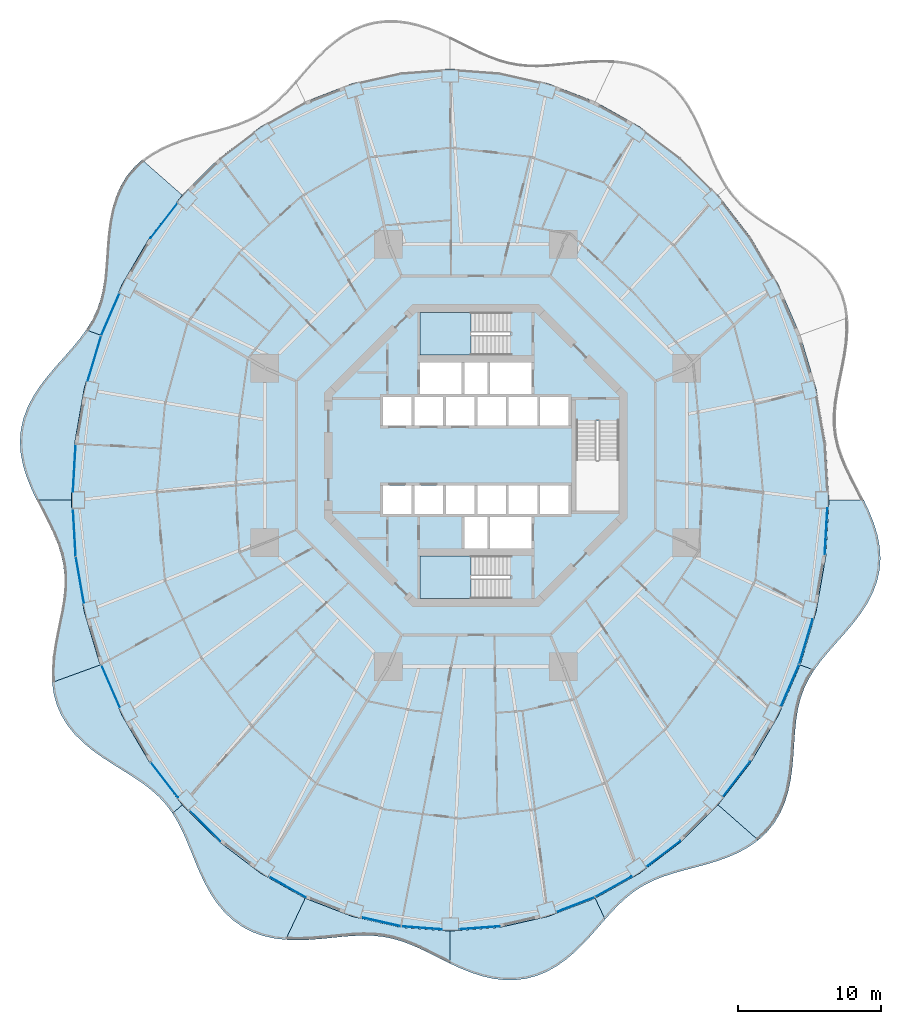
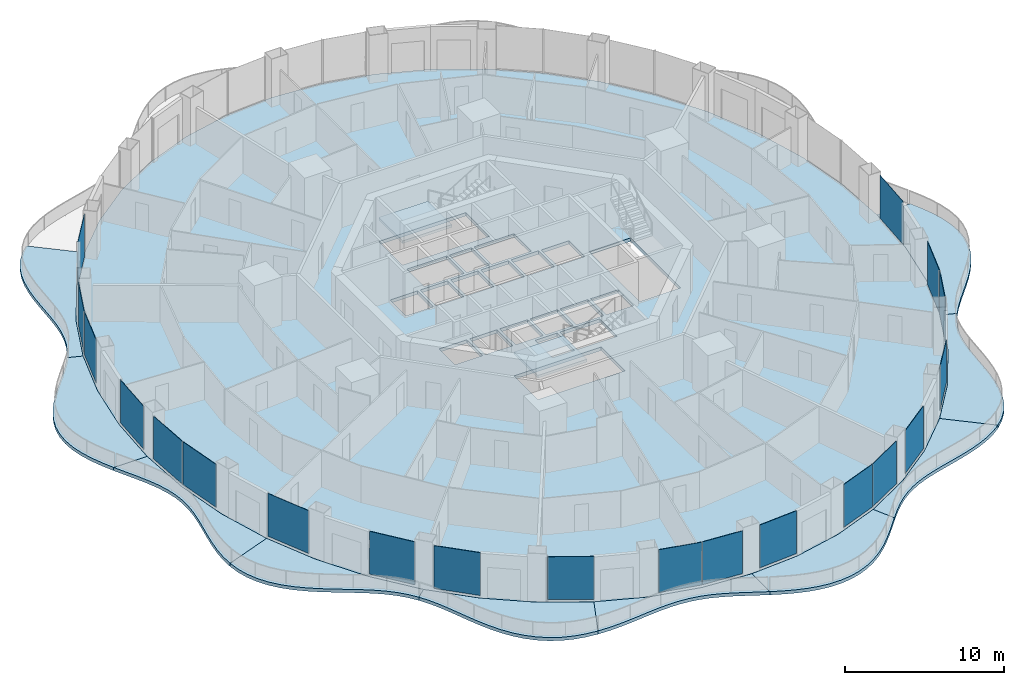
# One storey, part 10 of 20: 20 plates, 13 slabs, 22 elements without a shape of their own.
"""IFC4 building model written with IfcOpenShell, lengths in metres."""

import ifcopenshell
import ifcopenshell.guid

model = None  # the IFC model being written
_history = None  # IfcOwnerHistory: only IFC2X3 demands one
_inside = {}  # id of a spatial element -> (the spatial element, [elements in it])
_under = {}  # id of a project, library or spatial element -> (it, [spatial elements below it])
_declared = {}  # id of a project -> (the project, [libraries it declares])
_typed = {}  # id of a type object -> (the type object, [elements of that type])
_made_of = {}  # id of a material, layer set ... -> (it, [elements and type objects made of it])


def new_model(schema):
    """Start an empty IFC model of exactly this schema.

    Asked for "IFC4X3", IfcOpenShell would pick the latest addendum, in which some entities
    have other attributes; the version numbers below select the first issue.
    IFC2X3 requires an IfcOwnerHistory on every rooted entity: one is made here for all.
    """
    global model, _history
    if schema == "IFC4X3":
        model = ifcopenshell.file(schema_version=(4, 3, 0, 0))
    else:
        model = ifcopenshell.file(schema=schema)
    _inside.clear()
    _under.clear()
    _declared.clear()
    _typed.clear()
    _made_of.clear()
    _history = None
    if model.schema == "IFC2X3":
        org = make("IfcOrganization", Name="unknown")
        user = make(
            "IfcPersonAndOrganization",
            ThePerson=make("IfcPerson", FamilyName="unknown"),
            TheOrganization=org,
        )
        app = make(
            "IfcApplication",
            ApplicationDeveloper=org,
            Version="unknown",
            ApplicationFullName="unknown",
            ApplicationIdentifier="unknown",
        )
        _history = make(
            "IfcOwnerHistory",
            OwningUser=user,
            OwningApplication=app,
            ChangeAction="ADDED",
            CreationDate=0,
        )
    return model


def make(cls, **values):
    """One entity of the class cls with the attributes given. An attribute that is None is left unset."""
    return model.create_entity(
        cls, **{name: value for name, value in values.items() if value is not None}
    )


def rooted(cls, **values):
    """An entity with a GlobalId (a new one), such as an element, a storey or a relation."""
    return make(cls, GlobalId=ifcopenshell.guid.new(), OwnerHistory=_history, **values)


def si_unit(unit_type, name, prefix=None):
    """IfcSIUnit, for example si_unit("LENGTHUNIT", "METRE", prefix="MILLI")."""
    return make("IfcSIUnit", UnitType=unit_type, Prefix=prefix, Name=name)


def assignment(units):
    """IfcUnitAssignment: the units of a project."""
    return None if units is None else make("IfcUnitAssignment", Units=units)


def point(xyz):
    """IfcCartesianPoint."""
    return None if xyz is None else make("IfcCartesianPoint", Coordinates=xyz)


def direction(xyz):
    """IfcDirection."""
    return None if xyz is None else make("IfcDirection", DirectionRatios=xyz)


def frame(location, z_axis=None, x_axis=None):
    """IfcAxis2Placement3D, a coordinate frame: its origin and axes. An axis left out is left unset."""
    return make(
        "IfcAxis2Placement3D",
        Location=point(location),
        Axis=direction(z_axis),
        RefDirection=direction(x_axis),
    )


def frame_2d(location, x_axis=None):
    """IfcAxis2Placement2D, a coordinate frame in the plane: its origin and x axis."""
    return make(
        "IfcAxis2Placement2D", Location=point(location), RefDirection=direction(x_axis)
    )


def origin():
    """The frame at (0, 0, 0) with its axes left unset."""
    return frame((0.0, 0.0, 0.0))


def origin_2d():
    """The frame at (0, 0) in the plane with its x axis left unset."""
    return frame_2d((0.0, 0.0))


def place(relative_to, where):
    """IfcLocalPlacement: puts the frame where relative to a parent placement (None: the world)."""
    return make(
        "IfcLocalPlacement", PlacementRelTo=relative_to, RelativePlacement=where
    )


def context(
    kind, dimensions, precision=None, world=None, true_north=None, identifier=None
):
    """IfcGeometricRepresentationContext, for example the 3D "Model" context."""
    return make(
        "IfcGeometricRepresentationContext",
        ContextIdentifier=identifier,
        ContextType=kind,
        CoordinateSpaceDimension=dimensions,
        Precision=precision,
        WorldCoordinateSystem=world,
        TrueNorth=true_north,
    )


def subcontext(parent, identifier, kind, view, scale=None):
    """IfcGeometricRepresentationSubContext, for example "Body" below "Model"."""
    return make(
        "IfcGeometricRepresentationSubContext",
        ContextIdentifier=identifier,
        ContextType=kind,
        ParentContext=parent,
        TargetScale=scale,
        TargetView=view,
    )


def project(units=None, contexts=None):
    """IfcProject with its units and contexts."""
    return rooted(
        "IfcProject",
        Name="project",
        RepresentationContexts=contexts,
        UnitsInContext=assignment(units),
    )


def spatial(cls, under=None, at=None, **own):
    """A site, building, storey or space (cls), placed at a placement, below another one or the project."""
    s = rooted(cls, ObjectPlacement=at, **own)
    if under is not None:
        _under.setdefault(under.id(), (under, []))[1].append(s)
    return s


def polyline(points):
    """IfcPolyline through the points."""
    return make("IfcPolyline", Points=[point(p) for p in points])


def profile(cls, at=None, kind="AREA", **sizes):
    """A parametric profile (cls). Its sizes go by their IFC names, for example OverallWidth=200.0."""
    return make(cls, ProfileType=kind, Position=at, **sizes)


def rectangle(**sizes):
    """IfcRectangleProfileDef."""
    return profile("IfcRectangleProfileDef", **sizes)


def outline(outer, holes=None, kind="AREA"):
    """IfcArbitraryClosedProfileDef: a profile drawn as a closed curve; with holes, ...WithVoids."""
    if holes is None:
        return make("IfcArbitraryClosedProfileDef", ProfileType=kind, OuterCurve=outer)
    return make(
        "IfcArbitraryProfileDefWithVoids",
        ProfileType=kind,
        OuterCurve=outer,
        InnerCurves=holes,
    )


def extrude(swept, where, along, depth):
    """IfcExtrudedAreaSolid: the profile swept, set in the frame where, extruded along a direction by depth."""
    return make(
        "IfcExtrudedAreaSolid",
        SweptArea=swept,
        Position=where,
        ExtrudedDirection=direction(along),
        Depth=depth,
    )


def shape(context_of_items, identifier, shape_type, items):
    """IfcShapeRepresentation: the items that make up one representation, for example the "Body"."""
    return make(
        "IfcShapeRepresentation",
        ContextOfItems=context_of_items,
        RepresentationIdentifier=identifier,
        RepresentationType=shape_type,
        Items=items,
    )


def material(Name=None, Category=None):
    """IfcMaterial."""
    return make("IfcMaterial", Name=Name, Category=Category)


def layer(
    of_material, thickness, ventilated=None, Name=None, Category=None, Priority=None
):
    """IfcMaterialLayer: one layer of a wall or slab, of a material (None: an air gap)."""
    return make(
        "IfcMaterialLayer",
        Material=of_material,
        LayerThickness=thickness,
        IsVentilated=ventilated,
        Name=Name,
        Category=Category,
        Priority=Priority,
    )


def layer_set(layers, Name=None):
    """IfcMaterialLayerSet."""
    return make("IfcMaterialLayerSet", MaterialLayers=layers, LayerSetName=Name)


def made_of(thing, what):
    """Note that an element or type object is made of a material, layer set ...; save() writes the relation."""
    if what is not None:
        _made_of.setdefault(what.id(), (what, []))[1].append(thing)
    return thing


def type_object(cls, material=None, **own):
    """A type object (cls), such as IfcWallType, which elements share."""
    return made_of(rooted(cls, **own), material)


def element(
    cls,
    number,
    at=None,
    inside=None,
    cuts=None,
    type_object=None,
    material=None,
    context=None,
    identifier="Body",
    shape_type=None,
    held_by="IfcProductDefinitionShape",
    body=None,
    shapes=None,
    **own,
):
    """One element of the class cls, such as IfcWall. Its Tag is "e" and its number.

    at: its placement. inside: the storey or other place that contains it. cuts: it is an
    opening in that element (IfcRelVoidsElement). A single representation is given by context,
    identifier, shape_type and body (its items); several are given by shapes. held_by: the class
    of the entity that holds the representations. save() writes the other relations.
    """
    e = rooted(cls, Tag="e%d" % number, ObjectPlacement=at, **own)
    if body is not None:
        shapes = [shape(context, identifier, shape_type, body)]
    if shapes is not None:
        e.Representation = make(held_by, Representations=shapes)
    if inside is not None:
        _inside.setdefault(inside.id(), (inside, []))[1].append(e)
    if cuts is not None:
        rooted(
            "IfcRelVoidsElement", RelatingBuildingElement=cuts, RelatedOpeningElement=e
        )
    if type_object is not None:
        _typed.setdefault(type_object.id(), (type_object, []))[1].append(e)
    return made_of(e, material)


def aggregate(whole, parts):
    """IfcRelAggregates: a whole, such as a stair, and the parts it consists of."""
    return rooted("IfcRelAggregates", RelatingObject=whole, RelatedObjects=parts)


def save(model, path):
    """Write the relations noted so far, then the file.

    IfcRelAggregates (storeys below a building ...), IfcRelContainedInSpatialStructure (elements
    in a storey), IfcRelDefinesByType, IfcRelAssociatesMaterial and IfcRelDeclares: one each for
    every whole, place, type object, material and project.
    """
    for whole, parts in _under.values():
        aggregate(whole, parts)
    for where, things in _inside.values():
        rooted(
            "IfcRelContainedInSpatialStructure",
            RelatedElements=things,
            RelatingStructure=where,
        )
    for kind, things in _typed.values():
        rooted("IfcRelDefinesByType", RelatedObjects=things, RelatingType=kind)
    for what, things in _made_of.values():
        rooted("IfcRelAssociatesMaterial", RelatedObjects=things, RelatingMaterial=what)
    for by, libraries in _declared.values():
        rooted("IfcRelDeclares", RelatingContext=by, RelatedDefinitions=libraries)
    model.write(path)


model = new_model("IFC4")

# Units and contexts
model_context = context("Model", 3, precision=1e-05, world=origin(), true_north=direction((0.0, 1.0)))
body_context = subcontext(model_context, "Body", "Model", "MODEL_VIEW")
ifc_project = project(units=[si_unit("LENGTHUNIT", "METRE"), si_unit("AREAUNIT", "SQUARE_METRE"), si_unit("VOLUMEUNIT", "CUBIC_METRE"), si_unit("PLANEANGLEUNIT", "RADIAN"), si_unit("MASSUNIT", "GRAM", prefix="KILO")], contexts=[model_context])

# Site, building, storey
site_placement = place(None, origin())
site = spatial("IfcSite", under=ifc_project, at=site_placement, CompositionType="ELEMENT")
building_placement = place(site_placement, origin())
building = spatial("IfcBuilding", under=site, at=building_placement, Name="Nagisa Residences", CompositionType="ELEMENT")
storey_placement = place(building_placement, frame((0.0, 0.0, 130.699951171875)))
storey = spatial("IfcBuildingStorey", under=building, at=storey_placement, Name="L32", CompositionType="ELEMENT", Elevation=130.699951171875)

# Slabs
ifc_material_1 = material(Name="Concrete C40/50", Category="concrete")
ifc_layer_1 = layer(ifc_material_1, 0.25)
ifc_layer_set_1 = layer_set([ifc_layer_1], Name="BALCONY SLAB 250")
slab_type_1 = type_object("IfcSlabType", Name="BALCONY SLAB 250", PredefinedType="FLOOR", material=ifc_layer_set_1)
slab_1_placement = place(storey_placement, frame((0.0, 0.0, -0.25)))
element("IfcSlab", 1, at=slab_1_placement, inside=storey, type_object=slab_type_1, Name="slab:L32:bal06", PredefinedType="FLOOR", context=body_context, shape_type="SweptSolid", body=[
    extrude(outline(polyline([(-23.376953125, 20.706298828125), (-23.97314453125, 20.15283203125), (-24.483154296875, 19.525634765625), (-24.90234375, 18.830322265625), (-25.2314453125, 18.07666015625), (-25.4765625, 17.2763671875), (-25.648681640625, 16.443603515625), (-25.7626953125, 15.593017578125), (-25.83740234375, 14.739013671875), (-25.89306640625, 13.894287109375), (-25.951416015625, 13.070068359375), (-26.032958984375, 12.2744140625), (-26.156005859375, 11.512451171875), (-26.335693359375, 10.7861328125), (-26.58251953125, 10.093994140625), (-26.9013671875, 9.431640625), (-27.291748046875, 8.79296875), (-26.315185546875, 8.4375), (-24.780029296875, 11.979736328125), (-22.8515625, 15.263916015625), (-20.56298828125, 18.2333984375), (-23.376953125, 20.706298828125)])), origin(), (0.0, 0.0, 1.0), 0.25),
])
slab_2_placement = place(storey_placement, frame((0.0, 0.0, -0.25)))
element("IfcSlab", 2, at=slab_2_placement, inside=storey, type_object=slab_type_1, Name="slab:L32:bal07", PredefinedType="FLOOR", context=body_context, shape_type="SweptSolid", body=[
    extrude(outline(polyline([(-27.291748046875, 8.79296875), (-27.7626953125, 8.14990234375), (-28.28955078125, 7.51318359375), (-28.853759765625, 6.873046875), (-29.43310546875, 6.220458984375), (-30.002197265625, 5.548095703125), (-30.53564453125, 4.85009765625), (-31.00830078125, 4.1240234375), (-31.398681640625, 3.369384765625), (-31.68896484375, 2.588623046875), (-31.867431640625, 1.786376953125), (-31.928955078125, 0.968505859375), (-31.875244140625, 0.141845703125), (-31.714599609375, -0.686279296875), (-31.461669921875, -1.5087890625), (-31.13671875, -2.320556640625), (-30.763427734375, -3.11767578125), (-28.3349609375, -3.11767578125), (-28.10791015625, 0.823486328125), (-27.430908203125, 4.697265625), (-26.315185546875, 8.4375), (-27.291748046875, 8.79296875)])), origin(), (0.0, 0.0, 1.0), 0.25),
])
slab_3_placement = place(storey_placement, frame((0.0, 0.0, -0.25)))
element("IfcSlab", 3, at=slab_3_placement, inside=storey, type_object=slab_type_1, Name="slab:L32:bal08", PredefinedType="FLOOR", context=body_context, shape_type="SweptSolid", body=[
    extrude(outline(polyline([(-30.763427734375, -3.11767578125), (-30.3681640625, -3.898193359375), (-29.97705078125, -4.662841796875), (-29.614990234375, -5.413818359375), (-29.303955078125, -6.15576171875), (-29.06103515625, -6.89453125), (-28.896728515625, -7.636474609375), (-28.81591796875, -8.38818359375), (-28.81591796875, -9.1552734375), (-28.88720703125, -9.9423828125), (-29.014892578125, -10.751953125), (-29.17822265625, -11.58349609375), (-29.353515625, -12.434814453125), (-29.515625, -13.30029296875), (-29.638671875, -14.172119140625), (-29.698974609375, -15.041015625), (-29.676513671875, -15.896484375), (-26.315185546875, -14.6728515625), (-27.430908203125, -10.9326171875), (-28.10791015625, -7.058837890625), (-28.3349609375, -3.11767578125), (-30.763427734375, -3.11767578125)])), origin(), (0.0, 0.0, 1.0), 0.25),
])
slab_4_placement = place(storey_placement, frame((0.0, 0.0, -0.25)))
element("IfcSlab", 4, at=slab_4_placement, inside=storey, type_object=slab_type_1, Name="slab:L32:bal09", PredefinedType="FLOOR", context=body_context, shape_type="SweptSolid", body=[
    extrude(outline(polyline([(-29.676513671875, -15.896484375), (-29.5615234375, -16.701904296875), (-29.345458984375, -17.47509765625), (-29.025390625, -18.20751953125), (-28.604248046875, -18.8935546875), (-28.090576171875, -19.52978515625), (-27.49755859375, -20.1162109375), (-26.84228515625, -20.6552734375), (-26.14453125, -21.15380859375), (-25.426025390625, -21.62109375), (-24.70751953125, -22.068359375), (-24.008544921875, -22.5087890625), (-23.345947265625, -22.956787109375), (-22.732421875, -23.425537109375), (-22.176025390625, -23.92724609375), (-21.68017578125, -24.471923828125), (-21.2421875, -25.065673828125), (-20.56298828125, -24.46875), (-22.8515625, -21.499267578125), (-24.780029296875, -18.215087890625), (-26.315185546875, -14.6728515625), (-29.676513671875, -15.896484375)])), origin(), (0.0, 0.0, 1.0), 0.25),
])
slab_5_placement = place(storey_placement, frame((0.0, 0.0, -0.25)))
element("IfcSlab", 5, at=slab_5_placement, inside=storey, type_object=slab_type_1, Name="slab:L32:bal10", PredefinedType="FLOOR", context=body_context, shape_type="SweptSolid", body=[
    extrude(outline(polyline([(-21.2421875, -25.065673828125), (-20.87255859375, -25.679931640625), (-20.539794921875, -26.33984375), (-20.2314453125, -27.039794921875), (-19.93310546875, -27.771484375), (-19.6298828125, -28.52294921875), (-19.306884765625, -29.279052734375), (-18.9501953125, -30.02392578125), (-18.548095703125, -30.740234375), (-18.091552734375, -31.4111328125), (-17.574951171875, -32.02099609375), (-16.99609375, -32.556640625), (-16.3564453125, -33.0078125), (-15.660400390625, -33.36865234375), (-14.916015625, -33.63720703125), (-14.132568359375, -33.81640625), (-13.321533203125, -33.914306640625), (-11.95458984375, -31.01416015625), (-15.0673828125, -29.267333984375), (-17.953369140625, -27.072998046875), (-20.56298828125, -24.46875), (-21.2421875, -25.065673828125)])), origin(), (0.0, 0.0, 1.0), 0.25),
])
slab_6_placement = place(storey_placement, frame((0.0, 0.0, -0.25)))
element("IfcSlab", 6, at=slab_6_placement, inside=storey, type_object=slab_type_1, Name="slab:L32:bal11", PredefinedType="FLOOR", context=body_context, shape_type="SweptSolid", body=[
    extrude(outline(polyline([(-13.321533203125, -33.914306640625), (-12.5244140625, -33.9423828125), (-11.722900390625, -33.9189453125), (-10.92626953125, -33.8603515625), (-10.141845703125, -33.78369140625), (-9.3759765625, -33.70654296875), (-8.6318359375, -33.646240234375), (-7.910400390625, -33.61767578125), (-7.2109375, -33.6337890625), (-6.52978515625, -33.703857421875), (-5.862060546875, -33.832763671875), (-5.201904296875, -34.021240234375), (-4.542724609375, -34.265380859375), (-3.8779296875, -34.5576171875), (-3.201904296875, -34.88525390625), (-2.51025390625, -35.233154296875), (-1.800048828125, -35.584228515625), (-1.800048828125, -33.312744140625), (-5.263427734375, -33.054443359375), (-8.667724609375, -32.283935546875), (-11.95458984375, -31.01416015625), (-13.321533203125, -33.914306640625)])), origin(), (0.0, 0.0, 1.0), 0.25),
])
slab_7_placement = place(storey_placement, frame((0.0, 0.0, -0.25)))
element("IfcSlab", 7, at=slab_7_placement, inside=storey, type_object=slab_type_1, Name="slab:L32:bal12", PredefinedType="FLOOR", context=body_context, shape_type="SweptSolid", body=[
    extrude(outline(polyline([(-1.800048828125, -35.584228515625), (-1.070556640625, -35.9189453125), (-0.322998046875, -36.21875), (0.439208984375, -36.46484375), (1.2109375, -36.641357421875), (1.9853515625, -36.735107421875), (2.75537109375, -36.736083984375), (3.5126953125, -36.63916015625), (4.250244140625, -36.443359375), (4.96142578125, -36.15234375), (5.640869140625, -35.77392578125), (6.285888671875, -35.31982421875), (6.895751953125, -34.804931640625), (7.4716796875, -34.24609375), (8.01806640625, -33.66162109375), (8.540771484375, -33.069091796875), (9.04833984375, -32.486328125), (8.3544921875, -31.01416015625), (5.06787109375, -32.283935546875), (1.66357421875, -33.054443359375), (-1.800048828125, -33.312744140625), (-1.800048828125, -35.584228515625)])), origin(), (0.0, 0.0, 1.0), 0.25),
])
slab_8_placement = place(storey_placement, frame((0.0, 0.0, -0.25)))
element("IfcSlab", 8, at=slab_8_placement, inside=storey, type_object=slab_type_1, Name="slab:L32:bal13", PredefinedType="FLOOR", context=body_context, shape_type="SweptSolid", body=[
    extrude(outline(polyline([(9.04833984375, -32.486328125), (9.568603515625, -31.908203125), (10.093017578125, -31.370849609375), (10.632568359375, -30.884765625), (11.197265625, -30.455322265625), (11.794677734375, -30.083984375), (12.429931640625, -29.767333984375), (13.10546875, -29.497802734375), (13.81982421875, -29.26416015625), (14.568115234375, -29.052978515625), (15.342041015625, -28.8486328125), (16.130126953125, -28.635009765625), (16.9189453125, -28.396484375), (17.693359375, -28.118408203125), (18.437744140625, -27.7890625), (19.13671875, -27.398681640625), (19.777099609375, -26.941650390625), (16.963134765625, -24.46875), (14.353515625, -27.072998046875), (11.467529296875, -29.267333984375), (8.3544921875, -31.01416015625), (9.04833984375, -32.486328125)])), origin(), (0.0, 0.0, 1.0), 0.25),
])
slab_9_placement = place(storey_placement, frame((0.0, 0.0, -0.25)))
element("IfcSlab", 9, at=slab_9_placement, inside=storey, type_object=slab_type_1, Name="slab:L32:bal14", PredefinedType="FLOOR", context=body_context, shape_type="SweptSolid", body=[
    extrude(outline(polyline([(19.777099609375, -26.941650390625), (20.373291015625, -26.38818359375), (20.883056640625, -25.760986328125), (21.30224609375, -25.06591796875), (21.63134765625, -24.31201171875), (21.876708984375, -23.51171875), (22.048583984375, -22.67919921875), (22.16259765625, -21.828369140625), (22.2373046875, -20.974365234375), (22.293212890625, -20.129638671875), (22.351318359375, -19.305419921875), (22.432861328125, -18.509765625), (22.55615234375, -17.747802734375), (22.73583984375, -17.021484375), (22.982421875, -16.329345703125), (23.301513671875, -15.6669921875), (23.691650390625, -15.0283203125), (22.715087890625, -14.6728515625), (21.179931640625, -18.215087890625), (19.251708984375, -21.499267578125), (16.963134765625, -24.46875), (19.777099609375, -26.941650390625)])), origin(), (0.0, 0.0, 1.0), 0.25),
])
slab_10_placement = place(storey_placement, frame((0.0, 0.0, -0.25)))
element("IfcSlab", 10, at=slab_10_placement, inside=storey, type_object=slab_type_1, Name="slab:L32:bal15", PredefinedType="FLOOR", context=body_context, shape_type="SweptSolid", body=[
    extrude(outline(polyline([(23.691650390625, -15.0283203125), (24.16259765625, -14.38525390625), (24.689453125, -13.74853515625), (25.253662109375, -13.1083984375), (25.8330078125, -12.4560546875), (26.40234375, -11.783447265625), (26.935546875, -11.08544921875), (27.408203125, -10.359375), (27.798583984375, -9.604736328125), (28.0888671875, -8.82421875), (28.267578125, -8.021728515625), (28.3291015625, -7.203857421875), (28.275146484375, -6.377197265625), (28.114501953125, -5.54931640625), (27.861572265625, -4.7265625), (27.53662109375, -3.914794921875), (27.16357421875, -3.11767578125), (24.735107421875, -3.11767578125), (24.508056640625, -7.058837890625), (23.830810546875, -10.9326171875), (22.715087890625, -14.6728515625), (23.691650390625, -15.0283203125)])), origin(), (0.0, 0.0, 1.0), 0.25),
])

# Curtain wall, plate
ifc_material_2 = material(Name="Concrete-coloured aluminium curtain wall system", Category="concrete")
ifc_layer_2 = layer(ifc_material_2, 0.159912109375)
ifc_layer_set_2 = layer_set([ifc_layer_2], Name="CW1 CURTAIN WALL")
curtain_wall_type = type_object("IfcCurtainWallType", Name="CW1 CURTAIN WALL", PredefinedType="NOTDEFINED", material=ifc_layer_set_2)
curtain_wall_1_placement = place(storey_placement, origin())
curtain_wall_1 = element("IfcCurtainWall", 11, at=curtain_wall_1_placement, inside=storey, type_object=curtain_wall_type, Name="cw:CW1:L32:18", PredefinedType="NOTDEFINED")
ifc_material_3 = material(Name="Clear laminated glass", Category="glass")
ifc_layer_3 = layer(ifc_material_3, 0.028076171875)
ifc_layer_set_3 = layer_set([ifc_layer_3], Name="CW1 GLASS PANEL")
plate_type = type_object("IfcPlateType", Name="CW1 GLASS PANEL", PredefinedType="CURTAIN_PANEL", material=ifc_layer_set_3)
plate_1_placement = place(storey_placement, frame((-21.845458984375, 16.4384765625, 0.150146484375), z_axis=(0.0, 0.0, 1.0), x_axis=(-0.610429828235, -0.792070340816, 0.0)))
plate_1 = element("IfcPlate", 12, at=plate_1_placement, type_object=plate_type, Name="CW1 panel", PredefinedType="CURTAIN_PANEL", context=body_context, shape_type="SweptSolid", body=[
    extrude(rectangle(XDim=3.089111328125, YDim=0.028076171875, at=origin_2d()), origin(), (0.0, 0.0, 1.0), 3.2900390625),
])
aggregate(curtain_wall_1, [plate_1])

curtain_wall_2_placement = place(storey_placement, origin())
curtain_wall_2 = element("IfcCurtainWall", 13, at=curtain_wall_2_placement, inside=storey, type_object=curtain_wall_type, Name="cw:CW1:L32:20", PredefinedType="NOTDEFINED")
plate_2_placement = place(storey_placement, frame((-25.60546875, 9.8740234375, 0.150146484375), z_axis=(0.0, 0.0, 1.0), x_axis=(-0.397635934147, -0.917543276295, 0.0)))
plate_2 = element("IfcPlate", 14, at=plate_2_placement, type_object=plate_type, Name="CW1 panel", PredefinedType="CURTAIN_PANEL", context=body_context, shape_type="SweptSolid", body=[
    extrude(rectangle(XDim=3.20068359375, YDim=0.028076171875, at=origin_2d()), origin(), (0.0, 0.0, 1.0), 3.2900390625),
])
aggregate(curtain_wall_2, [plate_2])

curtain_wall_3_placement = place(storey_placement, origin())
curtain_wall_3 = element("IfcCurtainWall", 15, at=curtain_wall_3_placement, inside=storey, type_object=curtain_wall_type, Name="cw:CW1:L32:21", PredefinedType="NOTDEFINED")
plate_3_placement = place(storey_placement, frame((-26.71923828125, 6.80322265625, 0.150146484375), z_axis=(0.0, 0.0, 1.0), x_axis=(-0.285860274038, -0.958271310082, 0.0)))
plate_3 = element("IfcPlate", 16, at=plate_3_placement, type_object=plate_type, Name="CW1 panel", PredefinedType="CURTAIN_PANEL", context=body_context, shape_type="SweptSolid", body=[
    extrude(rectangle(XDim=3.242919921875, YDim=0.028076171875, at=origin_2d()), origin(), (0.0, 0.0, 1.0), 3.2900390625),
])
aggregate(curtain_wall_3, [plate_3])

curtain_wall_4_placement = place(storey_placement, origin())
curtain_wall_4 = element("IfcCurtainWall", 17, at=curtain_wall_4_placement, inside=storey, type_object=curtain_wall_type, Name="cw:CW1:L32:23", PredefinedType="NOTDEFINED")
plate_4_placement = place(storey_placement, frame((-28.126220703125, -0.882080078125, 0.150146484375), z_axis=(0.0, 0.0, 1.0), x_axis=(-0.057503492216, -0.998345305184, 0.0)))
plate_4 = element("IfcPlate", 18, at=plate_4_placement, type_object=plate_type, Name="CW1 panel", PredefinedType="CURTAIN_PANEL", context=body_context, shape_type="SweptSolid", body=[
    extrude(rectangle(XDim=3.287841796875, YDim=0.028076171875, at=origin_2d()), origin(), (0.0, 0.0, 1.0), 3.2900390625),
])
aggregate(curtain_wall_4, [plate_4])

curtain_wall_5_placement = place(storey_placement, origin())
curtain_wall_5 = element("IfcCurtainWall", 19, at=curtain_wall_5_placement, inside=storey, type_object=curtain_wall_type, Name="cw:CW1:L32:24", PredefinedType="NOTDEFINED")
plate_5_placement = place(storey_placement, frame((-28.12255859375, -5.4130859375, 0.150146484375), z_axis=(0.0, 0.0, 1.0), x_axis=(0.057503492216, -0.998345305184, 0.0)))
plate_5 = element("IfcPlate", 20, at=plate_5_placement, type_object=plate_type, Name="CW1 panel", PredefinedType="CURTAIN_PANEL", context=body_context, shape_type="SweptSolid", body=[
    extrude(rectangle(XDim=3.287841796875, YDim=0.028076171875, at=origin_2d()), origin(), (0.0, 0.0, 1.0), 3.2900390625),
])
aggregate(curtain_wall_5, [plate_5])

curtain_wall_6_placement = place(storey_placement, origin())
curtain_wall_6 = element("IfcCurtainWall", 21, at=curtain_wall_6_placement, inside=storey, type_object=curtain_wall_type, Name="cw:CW1:L32:25", PredefinedType="NOTDEFINED")
plate_6_placement = place(storey_placement, frame((-27.737060546875, -8.716064453125, 0.150146484375), z_axis=(0.0, 0.0, 1.0), x_axis=(0.172190868898, -0.985063604377, 0.0)))
plate_6 = element("IfcPlate", 22, at=plate_6_placement, type_object=plate_type, Name="CW1 panel", PredefinedType="CURTAIN_PANEL", context=body_context, shape_type="SweptSolid", body=[
    extrude(rectangle(XDim=3.2724609375, YDim=0.028076171875, at=origin_2d()), origin(), (0.0, 0.0, 1.0), 3.2900390625),
])
aggregate(curtain_wall_6, [plate_6])

curtain_wall_7_placement = place(storey_placement, origin())
curtain_wall_7 = element("IfcCurtainWall", 23, at=curtain_wall_7_placement, inside=storey, type_object=curtain_wall_type, Name="cw:CW1:L32:27", PredefinedType="NOTDEFINED")
plate_7_placement = place(storey_placement, frame((-25.58154296875, -16.16455078125, 0.150146484375), z_axis=(0.0, 0.0, 1.0), x_axis=(0.397635934147, -0.917543276295, 0.0)))
plate_7 = element("IfcPlate", 24, at=plate_7_placement, type_object=plate_type, Name="CW1 panel", PredefinedType="CURTAIN_PANEL", context=body_context, shape_type="SweptSolid", body=[
    extrude(rectangle(XDim=3.20068359375, YDim=0.028076171875, at=origin_2d()), origin(), (0.0, 0.0, 1.0), 3.2900390625),
])
aggregate(curtain_wall_7, [plate_7])

curtain_wall_8_placement = place(storey_placement, origin())
curtain_wall_8 = element("IfcCurtainWall", 25, at=curtain_wall_8_placement, inside=storey, type_object=curtain_wall_type, Name="cw:CW1:L32:29", PredefinedType="NOTDEFINED")
plate_8_placement = place(storey_placement, frame((-21.808837890625, -22.721435546875, 0.150146484375), z_axis=(0.0, 0.0, 1.0), x_axis=(0.610429828235, -0.792070340816, 0.0)))
plate_8 = element("IfcPlate", 26, at=plate_8_placement, type_object=plate_type, Name="CW1 panel", PredefinedType="CURTAIN_PANEL", context=body_context, shape_type="SweptSolid", body=[
    extrude(rectangle(XDim=3.089111328125, YDim=0.028076171875, at=origin_2d()), origin(), (0.0, 0.0, 1.0), 3.2900390625),
])
aggregate(curtain_wall_8, [plate_8])

curtain_wall_9_placement = place(storey_placement, origin())
curtain_wall_9 = element("IfcCurtainWall", 27, at=curtain_wall_9_placement, inside=storey, type_object=curtain_wall_type, Name="cw:CW1:L32:30", PredefinedType="NOTDEFINED")
plate_9_placement = place(storey_placement, frame((-18.96826171875, -25.947265625, 0.150146484375), z_axis=(0.0, 0.0, 1.0), x_axis=(0.707835924016, -0.706376885714, 0.0)))
plate_9 = element("IfcPlate", 28, at=plate_9_placement, type_object=plate_type, Name="CW1 panel", PredefinedType="CURTAIN_PANEL", context=body_context, shape_type="SweptSolid", body=[
    extrude(rectangle(XDim=3.026611328125, YDim=0.028076171875, at=origin_2d()), origin(), (0.0, 0.0, 1.0), 3.2900390625),
])
aggregate(curtain_wall_9, [plate_9])

curtain_wall_10_placement = place(storey_placement, origin())
curtain_wall_10 = element("IfcCurtainWall", 29, at=curtain_wall_10_placement, inside=storey, type_object=curtain_wall_type, Name="cw:CW1:L32:32", PredefinedType="NOTDEFINED")
plate_10_placement = place(storey_placement, frame((-13.18408203125, -30.232421875, 0.150146484375), z_axis=(0.0, 0.0, 1.0), x_axis=(0.872072377523, -0.489376918501, 0.0)))
plate_10 = element("IfcPlate", 30, at=plate_10_placement, type_object=plate_type, Name="CW1 panel", PredefinedType="CURTAIN_PANEL", context=body_context, shape_type="SweptSolid", body=[
    extrude(rectangle(XDim=2.90966796875, YDim=0.028076171875, at=origin_2d()), origin(), (0.0, 0.0, 1.0), 3.2900390625),
])
aggregate(curtain_wall_10, [plate_10])

curtain_wall_11_placement = place(storey_placement, origin())
curtain_wall_11 = element("IfcCurtainWall", 31, at=curtain_wall_11_placement, inside=storey, type_object=curtain_wall_type, Name="cw:CW1:L32:34", PredefinedType="NOTDEFINED")
plate_11_placement = place(storey_placement, frame((-6.626220703125, -32.663818359375, 0.150146484375), z_axis=(0.0, 0.0, 1.0), x_axis=(0.975327274089, -0.2207639201, 0.0)))
plate_11 = element("IfcPlate", 32, at=plate_11_placement, type_object=plate_type, Name="CW1 panel", PredefinedType="CURTAIN_PANEL", context=body_context, shape_type="SweptSolid", body=[
    extrude(rectangle(XDim=2.830322265625, YDim=0.028076171875, at=origin_2d()), origin(), (0.0, 0.0, 1.0), 3.2900390625),
])
aggregate(curtain_wall_11, [plate_11])

curtain_wall_12_placement = place(storey_placement, origin())
curtain_wall_12 = element("IfcCurtainWall", 33, at=curtain_wall_12_placement, inside=storey, type_object=curtain_wall_type, Name="cw:CW1:L32:35", PredefinedType="NOTDEFINED")
plate_12_placement = place(storey_placement, frame((-3.795166015625, -33.083740234375, 0.150146484375), z_axis=(0.0, 0.0, 1.0), x_axis=(0.997230168512, -0.074377355493, 0.0)))
plate_12 = element("IfcPlate", 34, at=plate_12_placement, type_object=plate_type, Name="CW1 panel", PredefinedType="CURTAIN_PANEL", context=body_context, shape_type="SweptSolid", body=[
    extrude(rectangle(XDim=2.813232421875, YDim=0.028076171875, at=origin_2d()), origin(), (0.0, 0.0, 1.0), 3.2900390625),
])
aggregate(curtain_wall_12, [plate_12])

curtain_wall_13_placement = place(storey_placement, origin())
curtain_wall_13 = element("IfcCurtainWall", 35, at=curtain_wall_13_placement, inside=storey, type_object=curtain_wall_type, Name="cw:CW1:L32:36", PredefinedType="NOTDEFINED")
plate_13_placement = place(storey_placement, frame((0.2548828125, -33.0791015625, 0.150146484375), z_axis=(0.0, 0.0, 1.0), x_axis=(0.997230168512, 0.074377355493, 0.0)))
plate_13 = element("IfcPlate", 36, at=plate_13_placement, type_object=plate_type, Name="CW1 panel", PredefinedType="CURTAIN_PANEL", context=body_context, shape_type="SweptSolid", body=[
    extrude(rectangle(XDim=2.813232421875, YDim=0.028076171875, at=origin_2d()), origin(), (0.0, 0.0, 1.0), 3.2900390625),
])
aggregate(curtain_wall_13, [plate_13])

curtain_wall_14_placement = place(storey_placement, origin())
curtain_wall_14 = element("IfcCurtainWall", 37, at=curtain_wall_14_placement, inside=storey, type_object=curtain_wall_type, Name="cw:CW1:L32:38", PredefinedType="NOTDEFINED")
plate_14_placement = place(storey_placement, frame((6.990234375, -31.45556640625, 0.150146484375), z_axis=(0.0, 0.0, 1.0), x_axis=(0.932825759707, 0.360327770268, 0.0)))
plate_14 = element("IfcPlate", 38, at=plate_14_placement, type_object=plate_type, Name="CW1 panel", PredefinedType="CURTAIN_PANEL", context=body_context, shape_type="SweptSolid", body=[
    extrude(rectangle(XDim=2.863525390625, YDim=0.028076171875, at=origin_2d()), origin(), (0.0, 0.0, 1.0), 3.2900390625),
])
aggregate(curtain_wall_14, [plate_14])

curtain_wall_15_placement = place(storey_placement, origin())
curtain_wall_15 = element("IfcCurtainWall", 39, at=curtain_wall_15_placement, inside=storey, type_object=curtain_wall_type, Name="cw:CW1:L32:39", PredefinedType="NOTDEFINED")
plate_15_placement = place(storey_placement, frame((9.636474609375, -30.203125, 0.150146484375), z_axis=(0.0, 0.0, 1.0), x_axis=(0.872072377523, 0.489376918501, 0.0)))
plate_15 = element("IfcPlate", 40, at=plate_15_placement, type_object=plate_type, Name="CW1 panel", PredefinedType="CURTAIN_PANEL", context=body_context, shape_type="SweptSolid", body=[
    extrude(rectangle(XDim=2.90966796875, YDim=0.028076171875, at=origin_2d()), origin(), (0.0, 0.0, 1.0), 3.2900390625),
])
aggregate(curtain_wall_15, [plate_15])

curtain_wall_16_placement = place(storey_placement, origin())
curtain_wall_16 = element("IfcCurtainWall", 41, at=curtain_wall_16_placement, inside=storey, type_object=curtain_wall_type, Name="cw:CW1:L32:40", PredefinedType="NOTDEFINED")
plate_16_placement = place(storey_placement, frame((13.124755859375, -27.90673828125, 0.150146484375), z_axis=(0.0, 0.0, 1.0), x_axis=(0.79603132756, 0.605255421737, 0.0)))
plate_16 = element("IfcPlate", 42, at=plate_16_placement, type_object=plate_type, Name="CW1 panel", PredefinedType="CURTAIN_PANEL", context=body_context, shape_type="SweptSolid", body=[
    extrude(rectangle(XDim=2.965576171875, YDim=0.028076171875, at=origin_2d()), origin(), (0.0, 0.0, 1.0), 3.2900390625),
])
aggregate(curtain_wall_16, [plate_16])

curtain_wall_17_placement = place(storey_placement, origin())
curtain_wall_17 = element("IfcCurtainWall", 43, at=curtain_wall_17_placement, inside=storey, type_object=curtain_wall_type, Name="cw:CW1:L32:42", PredefinedType="NOTDEFINED")
plate_17_placement = place(storey_placement, frame((18.245361328125, -22.673828125, 0.150146484375), z_axis=(0.0, 0.0, 1.0), x_axis=(0.610429828235, 0.792070340816, 0.0)))
plate_17 = element("IfcPlate", 44, at=plate_17_placement, type_object=plate_type, Name="CW1 panel", PredefinedType="CURTAIN_PANEL", context=body_context, shape_type="SweptSolid", body=[
    extrude(rectangle(XDim=3.089111328125, YDim=0.028076171875, at=origin_2d()), origin(), (0.0, 0.0, 1.0), 3.2900390625),
])
aggregate(curtain_wall_17, [plate_17])

curtain_wall_18_placement = place(storey_placement, origin())
curtain_wall_18 = element("IfcCurtainWall", 45, at=curtain_wall_18_placement, inside=storey, type_object=curtain_wall_type, Name="cw:CW1:L32:44", PredefinedType="NOTDEFINED")
plate_18_placement = place(storey_placement, frame((22.00537109375, -16.109375, 0.150146484375), z_axis=(0.0, 0.0, 1.0), x_axis=(0.397635934147, 0.917543276295, 0.0)))
plate_18 = element("IfcPlate", 46, at=plate_18_placement, type_object=plate_type, Name="CW1 panel", PredefinedType="CURTAIN_PANEL", context=body_context, shape_type="SweptSolid", body=[
    extrude(rectangle(XDim=3.20068359375, YDim=0.028076171875, at=origin_2d()), origin(), (0.0, 0.0, 1.0), 3.2900390625),
])
aggregate(curtain_wall_18, [plate_18])

curtain_wall_19_placement = place(storey_placement, origin())
curtain_wall_19 = element("IfcCurtainWall", 47, at=curtain_wall_19_placement, inside=storey, type_object=curtain_wall_type, Name="cw:CW1:L32:45", PredefinedType="NOTDEFINED")
plate_19_placement = place(storey_placement, frame((23.119140625, -13.03857421875, 0.150146484375), z_axis=(0.0, 0.0, 1.0), x_axis=(0.285860274038, 0.958271310082, 0.0)))
plate_19 = element("IfcPlate", 48, at=plate_19_placement, type_object=plate_type, Name="CW1 panel", PredefinedType="CURTAIN_PANEL", context=body_context, shape_type="SweptSolid", body=[
    extrude(rectangle(XDim=3.242919921875, YDim=0.028076171875, at=origin_2d()), origin(), (0.0, 0.0, 1.0), 3.2900390625),
])
aggregate(curtain_wall_19, [plate_19])

curtain_wall_20_placement = place(storey_placement, origin())
curtain_wall_20 = element("IfcCurtainWall", 49, at=curtain_wall_20_placement, inside=storey, type_object=curtain_wall_type, Name="cw:CW1:L32:47", PredefinedType="NOTDEFINED")
plate_20_placement = place(storey_placement, frame((24.526123046875, -5.353271484375, 0.150146484375), z_axis=(0.0, 0.0, 1.0), x_axis=(0.057503492216, 0.998345305184, 0.0)))
plate_20 = element("IfcPlate", 50, at=plate_20_placement, type_object=plate_type, Name="CW1 panel", PredefinedType="CURTAIN_PANEL", context=body_context, shape_type="SweptSolid", body=[
    extrude(rectangle(XDim=3.287841796875, YDim=0.028076171875, at=origin_2d()), origin(), (0.0, 0.0, 1.0), 3.2900390625),
])
aggregate(curtain_wall_20, [plate_20])

# Slab
ifc_material_4 = material(Name="Concrete C40", Category="concrete")
ifc_layer_4 = layer(ifc_material_4, 0.260009765625)
ifc_layer_set_4 = layer_set([ifc_layer_4], Name="Floor slab 260")
slab_type_2 = type_object("IfcSlabType", Name="Floor slab 260", PredefinedType="FLOOR", material=ifc_layer_set_4)
slab_11_placement = place(storey_placement, frame((0.0, 0.0, -0.260009765625)))
element("IfcSlab", 51, at=slab_11_placement, inside=storey, type_object=slab_type_2, Name="slab:L32:floor", PredefinedType="FLOOR", context=body_context, shape_type="SweptSolid", body=[
    extrude(outline(polyline([(24.735107421875, -3.11767578125), (24.508056640625, 0.823486328125), (23.830810546875, 4.697265625), (22.715087890625, 8.4375), (21.179931640625, 11.979736328125), (19.251708984375, 15.263916015625), (16.963134765625, 18.2333984375), (14.353515625, 20.837646484375), (11.467529296875, 23.031982421875), (8.3544921875, 24.77880859375), (5.06787109375, 26.04833984375), (1.66357421875, 26.819091796875), (-1.800048828125, 27.077392578125), (-5.263427734375, 26.819091796875), (-8.667724609375, 26.04833984375), (-11.95458984375, 24.77880859375), (-15.0673828125, 23.031982421875), (-17.953369140625, 20.837646484375), (-20.56298828125, 18.2333984375), (-22.8515625, 15.263916015625), (-24.780029296875, 11.979736328125), (-26.315185546875, 8.4375), (-27.430908203125, 4.697265625), (-28.10791015625, 0.823486328125), (-28.3349609375, -3.11767578125), (-28.10791015625, -7.058837890625), (-27.430908203125, -10.9326171875), (-26.315185546875, -14.6728515625), (-24.780029296875, -18.215087890625), (-22.8515625, -21.499267578125), (-20.56298828125, -24.46875), (-17.953369140625, -27.072998046875), (-15.0673828125, -29.267333984375), (-11.95458984375, -31.01416015625), (-8.667724609375, -32.283935546875), (-5.263427734375, -33.054443359375), (-1.800048828125, -33.312744140625), (1.66357421875, -33.054443359375), (5.06787109375, -32.283935546875), (8.3544921875, -31.01416015625), (11.467529296875, -29.267333984375), (14.353515625, -27.072998046875), (16.963134765625, -24.46875), (19.251708984375, -21.499267578125), (21.179931640625, -18.215087890625), (22.715087890625, -14.6728515625), (23.830810546875, -10.9326171875), (24.508056640625, -7.058837890625), (24.735107421875, -3.11767578125)]), holes=[polyline([(-4.5, 2.10009765625), (-4.5, 4.10009765625), (-6.5, 4.10009765625), (-6.5, 2.10009765625), (-4.5, 2.10009765625)]), polyline([(-2.300048828125, 2.10009765625), (-2.300048828125, 4.10009765625), (-4.300048828125, 4.10009765625), (-4.300048828125, 2.10009765625), (-2.300048828125, 2.10009765625)]), polyline([(-0.10009765625, 2.10009765625), (-0.10009765625, 4.10009765625), (-2.10009765625, 4.10009765625), (-2.10009765625, 2.10009765625), (-0.10009765625, 2.10009765625)]), polyline([(2.10009765625, 2.10009765625), (2.10009765625, 4.10009765625), (0.10009765625, 4.10009765625), (0.10009765625, 2.10009765625), (2.10009765625, 2.10009765625)]), polyline([(4.300048828125, 2.10009765625), (4.300048828125, 4.10009765625), (2.300048828125, 4.10009765625), (2.300048828125, 2.10009765625), (4.300048828125, 2.10009765625)]), polyline([(6.5, 2.10009765625), (6.5, 4.10009765625), (4.5, 4.10009765625), (4.5, 2.10009765625), (6.5, 2.10009765625)]), polyline([(-4.5, -4.10009765625), (-4.5, -2.10009765625), (-6.5, -2.10009765625), (-6.5, -4.10009765625), (-4.5, -4.10009765625)]), polyline([(-2.300048828125, -4.10009765625), (-2.300048828125, -2.10009765625), (-4.300048828125, -2.10009765625), (-4.300048828125, -4.10009765625), (-2.300048828125, -4.10009765625)]), polyline([(-0.10009765625, -4.10009765625), (-0.10009765625, -2.10009765625), (-2.10009765625, -2.10009765625), (-2.10009765625, -4.10009765625), (-0.10009765625, -4.10009765625)]), polyline([(2.10009765625, -4.10009765625), (2.10009765625, -2.10009765625), (0.10009765625, -2.10009765625), (0.10009765625, -4.10009765625), (2.10009765625, -4.10009765625)]), polyline([(4.300048828125, -4.10009765625), (4.300048828125, -2.10009765625), (2.300048828125, -2.10009765625), (2.300048828125, -4.10009765625), (4.300048828125, -4.10009765625)]), polyline([(6.5, -4.10009765625), (6.5, -2.10009765625), (4.5, -2.10009765625), (4.5, -4.10009765625), (6.5, -4.10009765625)]), polyline([(3.89990234375, 4.300048828125), (3.89990234375, 6.5), (1.0, 6.5), (1.0, 4.300048828125), (3.89990234375, 4.300048828125)]), polyline([(3.89990234375, -6.5), (3.89990234375, -4.300048828125), (1.0, -4.300048828125), (1.0, -6.5), (3.89990234375, -6.5)]), polyline([(-1.0, 4.300048828125), (-1.0, 6.5), (-3.89990234375, 6.5), (-3.89990234375, 4.300048828125), (-1.0, 4.300048828125)]), polyline([(0.800048828125, 4.300048828125), (0.800048828125, 6.5), (-0.800048828125, 6.5), (-0.800048828125, 4.300048828125), (0.800048828125, 4.300048828125)]), polyline([(0.800048828125, -6.5), (0.800048828125, -4.300048828125), (-0.800048828125, -4.300048828125), (-0.800048828125, -6.5), (0.800048828125, -6.5)]), polyline([(10.024658203125, -3.89990234375), (7.024658203125, -3.89990234375), (7.024658203125, 2.425048828125), (10.024658203125, 2.425048828125), (10.024658203125, -3.89990234375)]), polyline([(-3.89990234375, 7.024658203125), (-3.89990234375, 10.024658203125), (2.425048828125, 10.024658203125), (2.425048828125, 7.024658203125), (-3.89990234375, 7.024658203125)]), polyline([(-3.89990234375, -10.024658203125), (-3.89990234375, -7.024658203125), (2.425048828125, -7.024658203125), (2.425048828125, -10.024658203125), (-3.89990234375, -10.024658203125)])]), origin(), (0.0, 0.0, 1.0), 0.260009765625),
])

# Stair, slab
ifc_material_5 = material(Name="Concrete C60", Category="concrete")
stair_type = type_object("IfcStairType", Name="Exit stair", PredefinedType="HALF_TURN_STAIR", material=ifc_material_5)
stair_1_placement = place(storey_placement, origin())
stair_1 = element("IfcStair", 52, at=stair_1_placement, inside=storey, type_object=stair_type, Name="L32 Exit stair N", PredefinedType="HALF_TURN_STAIR")
ifc_material_6 = material(Name="Concrete C60", Category="concrete")
ifc_layer_5 = layer(ifc_material_6, 0.199951171875)
ifc_layer_set_5 = layer_set([ifc_layer_5], Name="Stair landing")
slab_type_3 = type_object("IfcSlabType", Name="Stair landing", PredefinedType="LANDING", material=ifc_layer_set_5)
slab_12_placement = place(storey_placement, frame((0.0, 0.0, 1.650146484375)))
slab_12 = element("IfcSlab", 53, at=slab_12_placement, type_object=slab_type_3, Name="ST-N landing 1", PredefinedType="LANDING", context=body_context, shape_type="SweptSolid", body=[
    extrude(outline(polyline([(-0.324951171875, 10.024658203125), (-3.89990234375, 10.024658203125), (-3.89990234375, 7.024658203125), (-0.324951171875, 7.024658203125), (-0.324951171875, 10.024658203125)])), origin(), (0.0, 0.0, 1.0), 0.199951171875),
])
aggregate(stair_1, [slab_12])

stair_2_placement = place(storey_placement, origin())
stair_2 = element("IfcStair", 54, at=stair_2_placement, inside=storey, type_object=stair_type, Name="L32 Exit stair S", PredefinedType="HALF_TURN_STAIR")
slab_13_placement = place(storey_placement, frame((0.0, 0.0, 1.650146484375)))
slab_13 = element("IfcSlab", 55, at=slab_13_placement, type_object=slab_type_3, Name="ST-S landing 1", PredefinedType="LANDING", context=body_context, shape_type="SweptSolid", body=[
    extrude(outline(polyline([(-0.324951171875, -7.024658203125), (-3.89990234375, -7.024658203125), (-3.89990234375, -10.024658203125), (-0.324951171875, -10.024658203125), (-0.324951171875, -7.024658203125)])), origin(), (0.0, 0.0, 1.0), 0.199951171875),
])
aggregate(stair_2, [slab_13])

save(model, "model.ifc")
